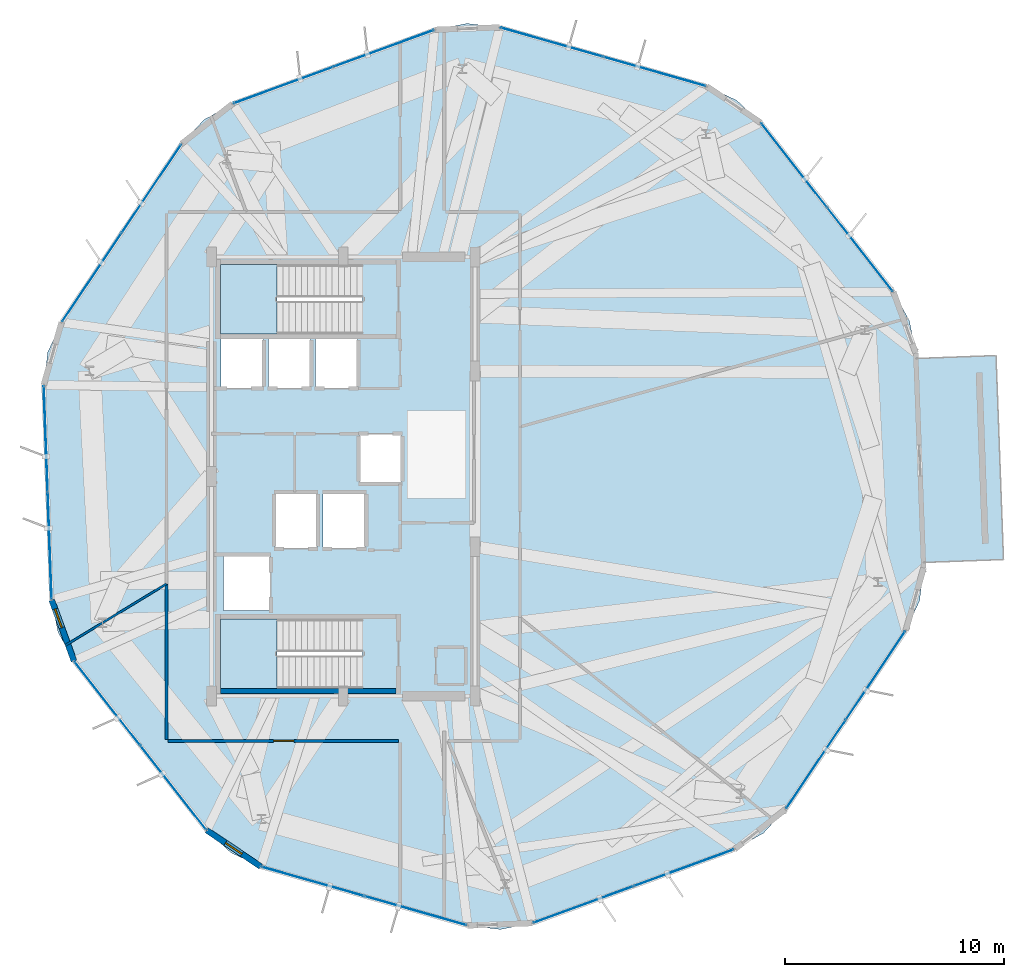
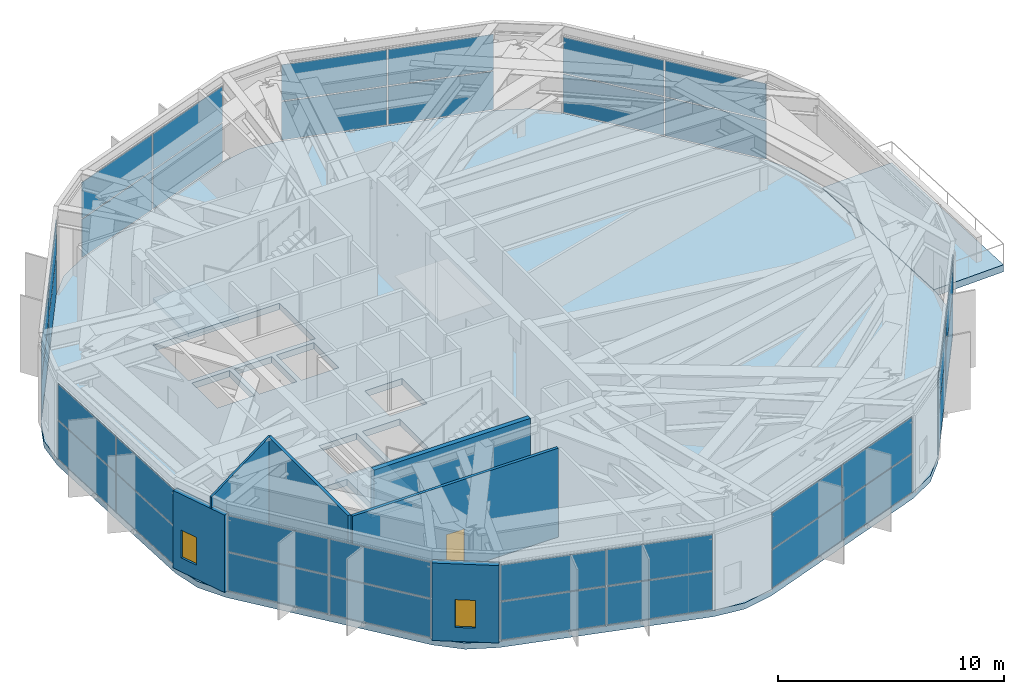
# One storey, part 24 of 30: 36 plates, 6 walls, 4 slabs, 2 windows, 1 door, 3 openings, 11 elements without a shape of their own.
"""IFC4 building model written with IfcOpenShell, lengths in metres."""

from ifc_helpers import new_model, si_unit, direction, frame, frame_2d, origin, origin_2d, place, context, subcontext, project, spatial, polyline, rectangle, outline, extrude, material, layer, layer_set, type_object, element, fill, aggregate, save


model = new_model("IFC4")

# Units and contexts
model_context = context("Model", 3, precision=1e-05, world=origin(), true_north=direction((0.0, 1.0)))
body_context = subcontext(model_context, "Body", "Model", "MODEL_VIEW")
ifc_project = project(units=[si_unit("LENGTHUNIT", "METRE"), si_unit("AREAUNIT", "SQUARE_METRE"), si_unit("VOLUMEUNIT", "CUBIC_METRE"), si_unit("PLANEANGLEUNIT", "RADIAN"), si_unit("MASSUNIT", "GRAM", prefix="KILO")], contexts=[model_context])

# Site, building, storey
site_placement = place(None, origin())
site = spatial("IfcSite", under=ifc_project, at=site_placement, CompositionType="ELEMENT")
building_placement = place(site_placement, origin())
building = spatial("IfcBuilding", under=site, at=building_placement, Name="Soratama Intermodal Tower", CompositionType="ELEMENT")
storey_placement = place(building_placement, frame((0.0, 0.0, 237.39990234375)))
storey = spatial("IfcBuildingStorey", under=building, at=storey_placement, Name="L60", CompositionType="ELEMENT", Elevation=237.39990234375)

# Curtain wall, plates
ifc_material_1 = material(Name="Double-glazed aluminium curtain wall", Category="aluminium")
ifc_layer_1 = layer(ifc_material_1, 0.159912109375)
ifc_layer_set_1 = layer_set([ifc_layer_1], Name="Double-glazed aluminium curtain wall")
curtain_wall_type = type_object("IfcCurtainWallType", Name="CW-SYS-5", PredefinedType="NOTDEFINED", material=ifc_layer_set_1)
curtain_wall_1_placement = place(storey_placement, origin())
curtain_wall_1 = element("IfcCurtainWall", 1, at=curtain_wall_1_placement, inside=storey, type_object=curtain_wall_type, Name="L60 Faceted Curtain Wall F01", PredefinedType="NOTDEFINED")
ifc_material_2 = material(Name="Low-E laminated double glazing", Category="glass")
ifc_layer_2 = layer(ifc_material_2, 0.02001953125)
ifc_layer_set_2 = layer_set([ifc_layer_2], Name="Low-E laminated double glazing")
plate_type = type_object("IfcPlateType", Name="PT-CWP-5", PredefinedType="CURTAIN_PANEL", material=ifc_layer_set_2)
plate_1_placement = place(storey_placement, frame((52.786865234375, 43.44970703125, 0.06005859375), z_axis=(0.0, 0.0, 1.0), x_axis=(-0.96174010447, 0.273963449119, 0.0)))
plate_1 = element("IfcPlate", 2, at=plate_1_placement, type_object=plate_type, Name="CW-5 panel 1.1", PredefinedType="CURTAIN_PANEL", context=body_context, shape_type="SweptSolid", body=[
    extrude(rectangle(XDim=4.808837890625, YDim=0.028076171875, at=origin_2d()), origin(), (0.0, 0.0, 1.0), 2.06005859375),
])
plate_2_placement = place(storey_placement, frame((52.786865234375, 43.44970703125, 2.18017578125), z_axis=(0.0, 0.0, 1.0), x_axis=(-0.96174010447, 0.273963449119, 0.0)))
plate_2 = element("IfcPlate", 3, at=plate_2_placement, type_object=plate_type, Name="CW-5 panel 1.2", PredefinedType="CURTAIN_PANEL", context=body_context, shape_type="SweptSolid", body=[
    extrude(rectangle(XDim=4.808837890625, YDim=0.028076171875, at=origin_2d()), origin(), (0.0, 0.0, 1.0), 1.93896484375),
])
plate_3_placement = place(storey_placement, frame((48.104248046875, 44.783447265625, 0.06005859375), z_axis=(0.0, 0.0, 1.0), x_axis=(-0.96174010447, 0.273963449119, 0.0)))
plate_3 = element("IfcPlate", 4, at=plate_3_placement, type_object=plate_type, Name="CW-5 panel 2.1", PredefinedType="CURTAIN_PANEL", context=body_context, shape_type="SweptSolid", body=[
    extrude(rectangle(XDim=4.808837890625, YDim=0.028076171875, at=origin_2d()), origin(), (0.0, 0.0, 1.0), 2.06005859375),
])
plate_4_placement = place(storey_placement, frame((48.104248046875, 44.783447265625, 2.18017578125), z_axis=(0.0, 0.0, 1.0), x_axis=(-0.96174010447, 0.273963449119, 0.0)))
plate_4 = element("IfcPlate", 5, at=plate_4_placement, type_object=plate_type, Name="CW-5 panel 2.2", PredefinedType="CURTAIN_PANEL", context=body_context, shape_type="SweptSolid", body=[
    extrude(rectangle(XDim=4.808837890625, YDim=0.028076171875, at=origin_2d()), origin(), (0.0, 0.0, 1.0), 1.93896484375),
])
aggregate(curtain_wall_1, [plate_1, plate_2, plate_3, plate_4])

curtain_wall_2_placement = place(storey_placement, origin())
curtain_wall_2 = element("IfcCurtainWall", 6, at=curtain_wall_2_placement, inside=storey, type_object=curtain_wall_type, Name="L60 Faceted Curtain Wall F02", PredefinedType="NOTDEFINED")
plate_5_placement = place(storey_placement, frame((40.455078125, 44.503173828125, 0.06005859375), z_axis=(0.0, 0.0, 1.0), x_axis=(-0.93909264659, -0.343664081803, 0.0)))
plate_5 = element("IfcPlate", 7, at=plate_5_placement, type_object=plate_type, Name="CW-5 panel 1.1", PredefinedType="CURTAIN_PANEL", context=body_context, shape_type="SweptSolid", body=[
    extrude(rectangle(XDim=4.808837890625, YDim=0.028076171875, at=origin_2d()), origin(), (0.0, 0.0, 1.0), 2.06005859375),
])
plate_6_placement = place(storey_placement, frame((40.455078125, 44.503173828125, 2.18017578125), z_axis=(0.0, 0.0, 1.0), x_axis=(-0.93909264659, -0.343664081803, 0.0)))
plate_6 = element("IfcPlate", 8, at=plate_6_placement, type_object=plate_type, Name="CW-5 panel 1.2", PredefinedType="CURTAIN_PANEL", context=body_context, shape_type="SweptSolid", body=[
    extrude(rectangle(XDim=4.808837890625, YDim=0.028076171875, at=origin_2d()), origin(), (0.0, 0.0, 1.0), 1.93896484375),
])
plate_7_placement = place(storey_placement, frame((35.8828125, 42.829833984375, 0.06005859375), z_axis=(0.0, 0.0, 1.0), x_axis=(-0.93909264659, -0.343664081803, 0.0)))
plate_7 = element("IfcPlate", 9, at=plate_7_placement, type_object=plate_type, Name="CW-5 panel 2.1", PredefinedType="CURTAIN_PANEL", context=body_context, shape_type="SweptSolid", body=[
    extrude(rectangle(XDim=4.808837890625, YDim=0.028076171875, at=origin_2d()), origin(), (0.0, 0.0, 1.0), 2.06005859375),
])
plate_8_placement = place(storey_placement, frame((35.8828125, 42.829833984375, 2.18017578125), z_axis=(0.0, 0.0, 1.0), x_axis=(-0.93909264659, -0.343664081803, 0.0)))
plate_8 = element("IfcPlate", 10, at=plate_8_placement, type_object=plate_type, Name="CW-5 panel 2.2", PredefinedType="CURTAIN_PANEL", context=body_context, shape_type="SweptSolid", body=[
    extrude(rectangle(XDim=4.808837890625, YDim=0.028076171875, at=origin_2d()), origin(), (0.0, 0.0, 1.0), 1.93896484375),
])
aggregate(curtain_wall_2, [plate_5, plate_6, plate_7, plate_8])

curtain_wall_3_placement = place(storey_placement, origin())
curtain_wall_3 = element("IfcCurtainWall", 11, at=curtain_wall_3_placement, inside=storey, type_object=curtain_wall_type, Name="L60 Faceted Curtain Wall F03", PredefinedType="NOTDEFINED")
plate_9_placement = place(storey_placement, frame((29.859619140625, 38.10693359375, 0.06005859375), z_axis=(0.0, 0.0, 1.0), x_axis=(-0.557744292147, -0.830012833984, 0.0)))
plate_9 = element("IfcPlate", 12, at=plate_9_placement, type_object=plate_type, Name="CW-5 panel 1.1", PredefinedType="CURTAIN_PANEL", context=body_context, shape_type="SweptSolid", body=[
    extrude(rectangle(XDim=4.808837890625, YDim=0.028076171875, at=origin_2d()), origin(), (0.0, 0.0, 1.0), 2.06005859375),
])
plate_10_placement = place(storey_placement, frame((29.859619140625, 38.10693359375, 2.18017578125), z_axis=(0.0, 0.0, 1.0), x_axis=(-0.557744292147, -0.830012833984, 0.0)))
plate_10 = element("IfcPlate", 13, at=plate_10_placement, type_object=plate_type, Name="CW-5 panel 1.2", PredefinedType="CURTAIN_PANEL", context=body_context, shape_type="SweptSolid", body=[
    extrude(rectangle(XDim=4.808837890625, YDim=0.028076171875, at=origin_2d()), origin(), (0.0, 0.0, 1.0), 1.93896484375),
])
plate_11_placement = place(storey_placement, frame((27.14404296875, 34.065673828125, 0.06005859375), z_axis=(0.0, 0.0, 1.0), x_axis=(-0.557744292147, -0.830012833984, 0.0)))
plate_11 = element("IfcPlate", 14, at=plate_11_placement, type_object=plate_type, Name="CW-5 panel 2.1", PredefinedType="CURTAIN_PANEL", context=body_context, shape_type="SweptSolid", body=[
    extrude(rectangle(XDim=4.808837890625, YDim=0.028076171875, at=origin_2d()), origin(), (0.0, 0.0, 1.0), 2.06005859375),
])
plate_12_placement = place(storey_placement, frame((27.14404296875, 34.065673828125, 2.18017578125), z_axis=(0.0, 0.0, 1.0), x_axis=(-0.557744292147, -0.830012833984, 0.0)))
plate_12 = element("IfcPlate", 15, at=plate_12_placement, type_object=plate_type, Name="CW-5 panel 2.2", PredefinedType="CURTAIN_PANEL", context=body_context, shape_type="SweptSolid", body=[
    extrude(rectangle(XDim=4.808837890625, YDim=0.028076171875, at=origin_2d()), origin(), (0.0, 0.0, 1.0), 1.93896484375),
])
aggregate(curtain_wall_3, [plate_9, plate_10, plate_11, plate_12])

curtain_wall_4_placement = place(storey_placement, origin())
curtain_wall_4 = element("IfcCurtainWall", 16, at=curtain_wall_4_placement, inside=storey, type_object=curtain_wall_type, Name="L60 Faceted Curtain Wall F04", PredefinedType="NOTDEFINED")
plate_13_placement = place(storey_placement, frame((25.047119140625, 26.704345703125, 0.06005859375), z_axis=(0.0, 0.0, 1.0), x_axis=(0.036641329851, -0.999328481005, 0.0)))
plate_13 = element("IfcPlate", 17, at=plate_13_placement, type_object=plate_type, Name="CW-5 panel 1.1", PredefinedType="CURTAIN_PANEL", context=body_context, shape_type="SweptSolid", body=[
    extrude(rectangle(XDim=4.808837890625, YDim=0.028076171875, at=origin_2d()), origin(), (0.0, 0.0, 1.0), 2.06005859375),
])
plate_14_placement = place(storey_placement, frame((25.047119140625, 26.704345703125, 2.18017578125), z_axis=(0.0, 0.0, 1.0), x_axis=(0.036641329851, -0.999328481005, 0.0)))
plate_14 = element("IfcPlate", 18, at=plate_14_placement, type_object=plate_type, Name="CW-5 panel 1.2", PredefinedType="CURTAIN_PANEL", context=body_context, shape_type="SweptSolid", body=[
    extrude(rectangle(XDim=4.808837890625, YDim=0.028076171875, at=origin_2d()), origin(), (0.0, 0.0, 1.0), 1.93896484375),
])
plate_15_placement = place(storey_placement, frame((25.2255859375, 21.8388671875, 0.06005859375), z_axis=(0.0, 0.0, 1.0), x_axis=(0.036641329851, -0.999328481005, 0.0)))
plate_15 = element("IfcPlate", 19, at=plate_15_placement, type_object=plate_type, Name="CW-5 panel 2.1", PredefinedType="CURTAIN_PANEL", context=body_context, shape_type="SweptSolid", body=[
    extrude(rectangle(XDim=4.808837890625, YDim=0.028076171875, at=origin_2d()), origin(), (0.0, 0.0, 1.0), 2.06005859375),
])
plate_16_placement = place(storey_placement, frame((25.2255859375, 21.8388671875, 2.18017578125), z_axis=(0.0, 0.0, 1.0), x_axis=(0.036641329851, -0.999328481005, 0.0)))
plate_16 = element("IfcPlate", 20, at=plate_16_placement, type_object=plate_type, Name="CW-5 panel 2.2", PredefinedType="CURTAIN_PANEL", context=body_context, shape_type="SweptSolid", body=[
    extrude(rectangle(XDim=4.808837890625, YDim=0.028076171875, at=origin_2d()), origin(), (0.0, 0.0, 1.0), 1.93896484375),
])
aggregate(curtain_wall_4, [plate_13, plate_14, plate_15, plate_16])

curtain_wall_5_placement = place(storey_placement, origin())
curtain_wall_5 = element("IfcCurtainWall", 21, at=curtain_wall_5_placement, inside=storey, type_object=curtain_wall_type, Name="L60 Faceted Curtain Wall F05", PredefinedType="NOTDEFINED")
plate_17_placement = place(storey_placement, frame((27.85595703125, 14.65087890625, 0.06005859375), z_axis=(0.0, 0.0, 1.0), x_axis=(0.617036467446, -0.786934557535, 0.0)))
plate_17 = element("IfcPlate", 22, at=plate_17_placement, type_object=plate_type, Name="CW-5 panel 1.1", PredefinedType="CURTAIN_PANEL", context=body_context, shape_type="SweptSolid", body=[
    extrude(rectangle(XDim=4.808837890625, YDim=0.028076171875, at=origin_2d()), origin(), (0.0, 0.0, 1.0), 2.06005859375),
])
plate_18_placement = place(storey_placement, frame((27.85595703125, 14.65087890625, 2.18017578125), z_axis=(0.0, 0.0, 1.0), x_axis=(0.617036467446, -0.786934557535, 0.0)))
plate_18 = element("IfcPlate", 23, at=plate_18_placement, type_object=plate_type, Name="CW-5 panel 1.2", PredefinedType="CURTAIN_PANEL", context=body_context, shape_type="SweptSolid", body=[
    extrude(rectangle(XDim=4.808837890625, YDim=0.028076171875, at=origin_2d()), origin(), (0.0, 0.0, 1.0), 1.93896484375),
])
plate_19_placement = place(storey_placement, frame((30.860107421875, 10.8193359375, 0.06005859375), z_axis=(0.0, 0.0, 1.0), x_axis=(0.617036467446, -0.786934557535, 0.0)))
plate_19 = element("IfcPlate", 24, at=plate_19_placement, type_object=plate_type, Name="CW-5 panel 2.1", PredefinedType="CURTAIN_PANEL", context=body_context, shape_type="SweptSolid", body=[
    extrude(rectangle(XDim=4.808837890625, YDim=0.028076171875, at=origin_2d()), origin(), (0.0, 0.0, 1.0), 2.06005859375),
])
plate_20_placement = place(storey_placement, frame((30.860107421875, 10.8193359375, 2.18017578125), z_axis=(0.0, 0.0, 1.0), x_axis=(0.617036467446, -0.786934557535, 0.0)))
plate_20 = element("IfcPlate", 25, at=plate_20_placement, type_object=plate_type, Name="CW-5 panel 2.2", PredefinedType="CURTAIN_PANEL", context=body_context, shape_type="SweptSolid", body=[
    extrude(rectangle(XDim=4.808837890625, YDim=0.028076171875, at=origin_2d()), origin(), (0.0, 0.0, 1.0), 1.93896484375),
])
aggregate(curtain_wall_5, [plate_17, plate_18, plate_19, plate_20])

curtain_wall_6_placement = place(storey_placement, origin())
curtain_wall_6 = element("IfcCurtainWall", 26, at=curtain_wall_6_placement, inside=storey, type_object=curtain_wall_type, Name="L60 Faceted Curtain Wall F06", PredefinedType="NOTDEFINED")
plate_21_placement = place(storey_placement, frame((37.213134765625, 6.55029296875, 0.06005859375), z_axis=(0.0, 0.0, 1.0), x_axis=(0.96174010447, -0.273963449119, 0.0)))
plate_21 = element("IfcPlate", 27, at=plate_21_placement, type_object=plate_type, Name="CW-5 panel 1.1", PredefinedType="CURTAIN_PANEL", context=body_context, shape_type="SweptSolid", body=[
    extrude(rectangle(XDim=4.808837890625, YDim=0.028076171875, at=origin_2d()), origin(), (0.0, 0.0, 1.0), 2.06005859375),
])
plate_22_placement = place(storey_placement, frame((37.213134765625, 6.55029296875, 2.18017578125), z_axis=(0.0, 0.0, 1.0), x_axis=(0.96174010447, -0.273963449119, 0.0)))
plate_22 = element("IfcPlate", 28, at=plate_22_placement, type_object=plate_type, Name="CW-5 panel 1.2", PredefinedType="CURTAIN_PANEL", context=body_context, shape_type="SweptSolid", body=[
    extrude(rectangle(XDim=4.808837890625, YDim=0.028076171875, at=origin_2d()), origin(), (0.0, 0.0, 1.0), 1.93896484375),
])
plate_23_placement = place(storey_placement, frame((41.895751953125, 5.216552734375, 0.06005859375), z_axis=(0.0, 0.0, 1.0), x_axis=(0.96174010447, -0.273963449119, 0.0)))
plate_23 = element("IfcPlate", 29, at=plate_23_placement, type_object=plate_type, Name="CW-5 panel 2.1", PredefinedType="CURTAIN_PANEL", context=body_context, shape_type="SweptSolid", body=[
    extrude(rectangle(XDim=4.808837890625, YDim=0.028076171875, at=origin_2d()), origin(), (0.0, 0.0, 1.0), 2.06005859375),
])
plate_24_placement = place(storey_placement, frame((41.895751953125, 5.216552734375, 2.18017578125), z_axis=(0.0, 0.0, 1.0), x_axis=(0.96174010447, -0.273963449119, 0.0)))
plate_24 = element("IfcPlate", 30, at=plate_24_placement, type_object=plate_type, Name="CW-5 panel 2.2", PredefinedType="CURTAIN_PANEL", context=body_context, shape_type="SweptSolid", body=[
    extrude(rectangle(XDim=4.808837890625, YDim=0.028076171875, at=origin_2d()), origin(), (0.0, 0.0, 1.0), 1.93896484375),
])
aggregate(curtain_wall_6, [plate_21, plate_22, plate_23, plate_24])

curtain_wall_7_placement = place(storey_placement, origin())
curtain_wall_7 = element("IfcCurtainWall", 31, at=curtain_wall_7_placement, inside=storey, type_object=curtain_wall_type, Name="L60 Faceted Curtain Wall F07", PredefinedType="NOTDEFINED")
plate_25_placement = place(storey_placement, frame((49.544921875, 5.496826171875, 0.06005859375), z_axis=(0.0, 0.0, 1.0), x_axis=(0.93909264659, 0.343664081803, 0.0)))
plate_25 = element("IfcPlate", 32, at=plate_25_placement, type_object=plate_type, Name="CW-5 panel 1.1", PredefinedType="CURTAIN_PANEL", context=body_context, shape_type="SweptSolid", body=[
    extrude(rectangle(XDim=4.808837890625, YDim=0.028076171875, at=origin_2d()), origin(), (0.0, 0.0, 1.0), 2.06005859375),
])
plate_26_placement = place(storey_placement, frame((49.544921875, 5.496826171875, 2.18017578125), z_axis=(0.0, 0.0, 1.0), x_axis=(0.93909264659, 0.343664081803, 0.0)))
plate_26 = element("IfcPlate", 33, at=plate_26_placement, type_object=plate_type, Name="CW-5 panel 1.2", PredefinedType="CURTAIN_PANEL", context=body_context, shape_type="SweptSolid", body=[
    extrude(rectangle(XDim=4.808837890625, YDim=0.028076171875, at=origin_2d()), origin(), (0.0, 0.0, 1.0), 1.93896484375),
])
plate_27_placement = place(storey_placement, frame((54.1171875, 7.170166015625, 0.06005859375), z_axis=(0.0, 0.0, 1.0), x_axis=(0.93909264659, 0.343664081803, 0.0)))
plate_27 = element("IfcPlate", 34, at=plate_27_placement, type_object=plate_type, Name="CW-5 panel 2.1", PredefinedType="CURTAIN_PANEL", context=body_context, shape_type="SweptSolid", body=[
    extrude(rectangle(XDim=4.808837890625, YDim=0.028076171875, at=origin_2d()), origin(), (0.0, 0.0, 1.0), 2.06005859375),
])
plate_28_placement = place(storey_placement, frame((54.1171875, 7.170166015625, 2.18017578125), z_axis=(0.0, 0.0, 1.0), x_axis=(0.93909264659, 0.343664081803, 0.0)))
plate_28 = element("IfcPlate", 35, at=plate_28_placement, type_object=plate_type, Name="CW-5 panel 2.2", PredefinedType="CURTAIN_PANEL", context=body_context, shape_type="SweptSolid", body=[
    extrude(rectangle(XDim=4.808837890625, YDim=0.028076171875, at=origin_2d()), origin(), (0.0, 0.0, 1.0), 1.93896484375),
])
aggregate(curtain_wall_7, [plate_25, plate_26, plate_27, plate_28])

curtain_wall_8_placement = place(storey_placement, origin())
curtain_wall_8 = element("IfcCurtainWall", 36, at=curtain_wall_8_placement, inside=storey, type_object=curtain_wall_type, Name="L60 Faceted Curtain Wall F08", PredefinedType="NOTDEFINED")
plate_29_placement = place(storey_placement, frame((60.140380859375, 11.89306640625, 0.06005859375), z_axis=(0.0, 0.0, 1.0), x_axis=(0.557744292147, 0.830012833984, 0.0)))
plate_29 = element("IfcPlate", 37, at=plate_29_placement, type_object=plate_type, Name="CW-5 panel 1.1", PredefinedType="CURTAIN_PANEL", context=body_context, shape_type="SweptSolid", body=[
    extrude(rectangle(XDim=4.808837890625, YDim=0.028076171875, at=origin_2d()), origin(), (0.0, 0.0, 1.0), 2.06005859375),
])
plate_30_placement = place(storey_placement, frame((60.140380859375, 11.89306640625, 2.18017578125), z_axis=(0.0, 0.0, 1.0), x_axis=(0.557744292147, 0.830012833984, 0.0)))
plate_30 = element("IfcPlate", 38, at=plate_30_placement, type_object=plate_type, Name="CW-5 panel 1.2", PredefinedType="CURTAIN_PANEL", context=body_context, shape_type="SweptSolid", body=[
    extrude(rectangle(XDim=4.808837890625, YDim=0.028076171875, at=origin_2d()), origin(), (0.0, 0.0, 1.0), 1.93896484375),
])
plate_31_placement = place(storey_placement, frame((62.85595703125, 15.934326171875, 0.06005859375), z_axis=(0.0, 0.0, 1.0), x_axis=(0.557744292147, 0.830012833984, 0.0)))
plate_31 = element("IfcPlate", 39, at=plate_31_placement, type_object=plate_type, Name="CW-5 panel 2.1", PredefinedType="CURTAIN_PANEL", context=body_context, shape_type="SweptSolid", body=[
    extrude(rectangle(XDim=4.808837890625, YDim=0.028076171875, at=origin_2d()), origin(), (0.0, 0.0, 1.0), 2.06005859375),
])
plate_32_placement = place(storey_placement, frame((62.85595703125, 15.934326171875, 2.18017578125), z_axis=(0.0, 0.0, 1.0), x_axis=(0.557744292147, 0.830012833984, 0.0)))
plate_32 = element("IfcPlate", 40, at=plate_32_placement, type_object=plate_type, Name="CW-5 panel 2.2", PredefinedType="CURTAIN_PANEL", context=body_context, shape_type="SweptSolid", body=[
    extrude(rectangle(XDim=4.808837890625, YDim=0.028076171875, at=origin_2d()), origin(), (0.0, 0.0, 1.0), 1.93896484375),
])
aggregate(curtain_wall_8, [plate_29, plate_30, plate_31, plate_32])

curtain_wall_9_placement = place(storey_placement, origin())
curtain_wall_9 = element("IfcCurtainWall", 41, at=curtain_wall_9_placement, inside=storey, type_object=curtain_wall_type, Name="L60 Faceted Curtain Wall F10", PredefinedType="NOTDEFINED")
plate_33_placement = place(storey_placement, frame((62.14404296875, 35.34912109375, 0.06005859375), z_axis=(0.0, 0.0, 1.0), x_axis=(-0.617036467446, 0.786934557535, 0.0)))
plate_33 = element("IfcPlate", 42, at=plate_33_placement, type_object=plate_type, Name="CW-5 panel 1.1", PredefinedType="CURTAIN_PANEL", context=body_context, shape_type="SweptSolid", body=[
    extrude(rectangle(XDim=4.808837890625, YDim=0.028076171875, at=origin_2d()), origin(), (0.0, 0.0, 1.0), 2.06005859375),
])
plate_34_placement = place(storey_placement, frame((62.14404296875, 35.34912109375, 2.18017578125), z_axis=(0.0, 0.0, 1.0), x_axis=(-0.617036467446, 0.786934557535, 0.0)))
plate_34 = element("IfcPlate", 43, at=plate_34_placement, type_object=plate_type, Name="CW-5 panel 1.2", PredefinedType="CURTAIN_PANEL", context=body_context, shape_type="SweptSolid", body=[
    extrude(rectangle(XDim=4.808837890625, YDim=0.028076171875, at=origin_2d()), origin(), (0.0, 0.0, 1.0), 1.93896484375),
])
plate_35_placement = place(storey_placement, frame((59.139892578125, 39.1806640625, 0.06005859375), z_axis=(0.0, 0.0, 1.0), x_axis=(-0.617036467446, 0.786934557535, 0.0)))
plate_35 = element("IfcPlate", 44, at=plate_35_placement, type_object=plate_type, Name="CW-5 panel 2.1", PredefinedType="CURTAIN_PANEL", context=body_context, shape_type="SweptSolid", body=[
    extrude(rectangle(XDim=4.808837890625, YDim=0.028076171875, at=origin_2d()), origin(), (0.0, 0.0, 1.0), 2.06005859375),
])
plate_36_placement = place(storey_placement, frame((59.139892578125, 39.1806640625, 2.18017578125), z_axis=(0.0, 0.0, 1.0), x_axis=(-0.617036467446, 0.786934557535, 0.0)))
plate_36 = element("IfcPlate", 45, at=plate_36_placement, type_object=plate_type, Name="CW-5 panel 2.2", PredefinedType="CURTAIN_PANEL", context=body_context, shape_type="SweptSolid", body=[
    extrude(rectangle(XDim=4.808837890625, YDim=0.028076171875, at=origin_2d()), origin(), (0.0, 0.0, 1.0), 1.93896484375),
])
aggregate(curtain_wall_9, [plate_33, plate_34, plate_35, plate_36])

# Slab
ifc_material_3 = material(Name="Concrete f'c 42 MPa", Category="concrete")
ifc_layer_3 = layer(ifc_material_3, 0.3798828125)
ifc_layer_set_3 = layer_set([ifc_layer_3], Name="Concrete f'c 42 MPa")
slab_type_1 = type_object("IfcSlabType", Name="SL-EXT-POOL", PredefinedType="FLOOR", material=ifc_layer_set_3)
slab_1_placement = place(storey_placement, frame((0.0, 0.0, -0.3798828125)))
element("IfcSlab", 46, at=slab_1_placement, inside=storey, type_object=slab_type_1, Name="L60 Cantilevered East Sky Pool Slab", PredefinedType="FLOOR", context=body_context, shape_type="SweptSolid", body=[
    extrude(outline(polyline([(65.053955078125, 21.08349609375), (64.71337890625, 30.374755859375), (68.3408203125, 30.5078125), (68.681640625, 21.21630859375), (65.053955078125, 21.08349609375)])), origin(), (0.0, 0.0, 1.0), 0.3798828125),
])

# Stair, slab
ifc_material_4 = material(Name="Concrete f'c 42 MPa", Category="concrete")
stair_type = type_object("IfcStairType", Name="ST-CORE-DOGLEG", PredefinedType="HALF_TURN_STAIR", material=ifc_material_4)
stair_1_placement = place(storey_placement, origin())
stair_1 = element("IfcStair", 47, at=stair_1_placement, inside=storey, type_object=stair_type, Name="L60 ST-1", PredefinedType="HALF_TURN_STAIR")
ifc_material_5 = material(Name="Concrete f'c 42 MPa", Category="concrete")
ifc_layer_4 = layer(ifc_material_5, 0.219970703125)
ifc_layer_set_4 = layer_set([ifc_layer_4], Name="Concrete f'c 42 MPa")
slab_type_2 = type_object("IfcSlabType", Name="SL-STAIR-LAND", PredefinedType="LANDING", material=ifc_layer_set_4)
slab_2_placement = place(storey_placement, frame((0.0, 0.0, 2.35009765625)))
slab_2 = element("IfcSlab", 48, at=slab_2_placement, type_object=slab_type_2, Name="ST-1 landing 1", PredefinedType="LANDING", context=body_context, shape_type="SweptSolid", body=[
    extrude(outline(polyline([(35.580078125, 18.5), (33.0, 18.5), (33.0, 15.35009765625), (35.580078125, 15.35009765625), (35.580078125, 18.5)])), origin(), (0.0, 0.0, 1.0), 0.199951171875),
])
aggregate(stair_1, [slab_2])

stair_2_placement = place(storey_placement, origin())
stair_2 = element("IfcStair", 49, at=stair_2_placement, inside=storey, type_object=stair_type, Name="L60 ST-2", PredefinedType="HALF_TURN_STAIR")
slab_3_placement = place(storey_placement, frame((0.0, 0.0, 2.35009765625)))
slab_3 = element("IfcSlab", 50, at=slab_3_placement, type_object=slab_type_2, Name="ST-2 landing 1", PredefinedType="LANDING", context=body_context, shape_type="SweptSolid", body=[
    extrude(outline(polyline([(35.580078125, 34.64990234375), (33.0, 34.64990234375), (33.0, 31.5), (35.580078125, 31.5), (35.580078125, 34.64990234375)])), origin(), (0.0, 0.0, 1.0), 0.199951171875),
])
aggregate(stair_2, [slab_3])

# Slab
ifc_material_6 = material(Name="Concrete f'c 42 MPa", Category="concrete")
ifc_layer_5 = layer(ifc_material_6, 0.340087890625)
ifc_layer_set_5 = layer_set([ifc_layer_5], Name="Concrete f'c 42 MPa")
slab_type_3 = type_object("IfcSlabType", Name="SL-TRN-340", PredefinedType="FLOOR", material=ifc_layer_set_5)
slab_4_placement = place(storey_placement, frame((0.0, 0.0, -0.33984375)))
element("IfcSlab", 51, at=slab_4_placement, inside=storey, type_object=slab_type_3, Name="L60 Structural Floor Slab", PredefinedType="FLOOR", context=body_context, shape_type="SweptSolid", body=[
    extrude(outline(polyline([(57.619140625, 41.119873046875), (56.51904296875, 42.14208984375), (55.156982421875, 42.7744140625), (45.734130859375, 45.458740234375), (44.2431640625, 45.63916015625), (42.76953125, 45.35009765625), (33.568603515625, 41.98291015625), (32.25634765625, 41.252685546875), (31.234130859375, 40.15234375), (25.76953125, 32.020263671875), (25.13720703125, 30.658203125), (24.956787109375, 29.167236328125), (25.31591796875, 19.376220703125), (25.60498046875, 17.90234375), (26.335205078125, 16.590087890625), (32.380859375, 8.880126953125), (33.48095703125, 7.85791015625), (34.843017578125, 7.2255859375), (44.265869140625, 4.541259765625), (45.7568359375, 4.36083984375), (47.23046875, 4.64990234375), (56.431396484375, 8.01708984375), (57.74365234375, 8.747314453125), (58.765869140625, 9.84765625), (64.23046875, 17.979736328125), (64.86279296875, 19.341796875), (65.043212890625, 20.832763671875), (64.68408203125, 30.623779296875), (64.39501953125, 32.09765625), (63.664794921875, 33.409912109375), (57.619140625, 41.119873046875)]), holes=[polyline([(33.0, 18.5), (33.0, 15.35009765625), (39.47509765625, 15.35009765625), (39.47509765625, 18.5), (33.0, 18.5)]), polyline([(35.260009765625, 21.409912109375), (33.139892578125, 21.409912109375), (33.139892578125, 18.889892578125), (35.260009765625, 18.889892578125), (35.260009765625, 21.409912109375)]), polyline([(37.409912109375, 24.260009765625), (35.489990234375, 24.260009765625), (35.489990234375, 21.739990234375), (37.409912109375, 21.739990234375), (37.409912109375, 24.260009765625)]), polyline([(39.610107421875, 24.260009765625), (37.68994140625, 24.260009765625), (37.68994140625, 21.739990234375), (39.610107421875, 21.739990234375), (39.610107421875, 24.260009765625)]), polyline([(41.260009765625, 26.909912109375), (39.340087890625, 26.909912109375), (39.340087890625, 24.68994140625), (41.260009765625, 24.68994140625), (41.260009765625, 26.909912109375)]), polyline([(34.9599609375, 31.260009765625), (33.0400390625, 31.260009765625), (33.0400390625, 29.0400390625), (34.9599609375, 29.0400390625), (34.9599609375, 31.260009765625)]), polyline([(37.110107421875, 31.260009765625), (35.18994140625, 31.260009765625), (35.18994140625, 29.0400390625), (37.110107421875, 29.0400390625), (37.110107421875, 31.260009765625)]), polyline([(39.260009765625, 29.0400390625), (39.260009765625, 31.260009765625), (37.340087890625, 31.260009765625), (37.340087890625, 29.0400390625), (39.260009765625, 29.0400390625)]), polyline([(39.47509765625, 34.64990234375), (33.0, 34.64990234375), (33.0, 31.5), (39.47509765625, 31.5), (39.47509765625, 34.64990234375)])]), origin(), (0.0, 0.0, 1.0), 0.33984375),
])

# Wall, opening, window
ifc_material_7 = material(Name="Concrete f'c 42 MPa", Category="concrete")
ifc_layer_6 = layer(ifc_material_7, 0.27001953125)
ifc_layer_set_6 = layer_set([ifc_layer_6], Name="Concrete f'c 42 MPa")
wall_type_1 = type_object("IfcWallType", Name="EW-CRN-270", PredefinedType="SOLIDWALL", material=ifc_layer_set_6)
wall_1_placement = place(storey_placement, frame((25.31591796875, 19.376220703125, 0.0), z_axis=(0.0, 0.0, 1.0), x_axis=(0.343572680233, -0.939126090255, 0.0)))
wall_1 = element("IfcWall", 52, at=wall_1_placement, inside=storey, type_object=wall_type_1, Name="L60 Corner Closure Wall 04", PredefinedType="SOLIDWALL", context=body_context, shape_type="SweptSolid", body=[
    extrude(rectangle(XDim=2.966796875, YDim=0.27001953125, at=frame_2d((1.4833984375, 0.0))), origin(), (0.0, 0.0, 1.0), 4.17919921875),
])
opening_1_placement = place(wall_1_placement, frame((0.449951171875, 0.0, 0.75)))
opening_1 = element("IfcOpeningElement", 53, at=opening_1_placement, cuts=wall_1, Name="Opening WN-6", PredefinedType="OPENING", context=body_context, shape_type="SweptSolid", body=[
    extrude(rectangle(XDim=0.89990234375, YDim=1.5, at=frame_2d((0.449951171875, 0.75))), frame((0.0, 0.14501953125, 0.0), z_axis=(0.0, -1.0, 0.0), x_axis=(1.0, 0.0, 0.0)), (0.0, 0.0, 1.0), 0.2900390625),
])
ifc_material_8 = material(Name="Double-glazed aluminium window", Category="aluminium")
window_type = type_object("IfcWindowType", Name="WN-FAC-900", PartitioningType="SINGLE_PANEL", PredefinedType="WINDOW", material=ifc_material_8)
window_1_placement = place(opening_1_placement, origin())
window_1 = element("IfcWindow", 54, at=window_1_placement, inside=storey, type_object=window_type, Name="L60 Corner Window 04", OverallHeight=1.5, OverallWidth=0.89990234375, PartitioningType="SINGLE_PANEL", PredefinedType="WINDOW", context=body_context, shape_type="SweptSolid", body=[
    extrude(rectangle(XDim=0.89990234375, YDim=1.5, at=frame_2d((0.449951171875, 0.75))), frame((0.0, 0.030029296875, 0.0), z_axis=(0.0, -1.0, 0.0), x_axis=(1.0, 0.0, 0.0)), (0.0, 0.0, 1.0), 0.06005859375),
])
fill(opening_1, window_1)

wall_2_placement = place(storey_placement, frame((32.380859375, 8.880126953125, 0.0), z_axis=(0.0, 0.0, 1.0), x_axis=(0.830006141752, -0.557754251131, 0.0)))
wall_2 = element("IfcWall", 55, at=wall_2_placement, inside=storey, type_object=wall_type_1, Name="L60 Corner Closure Wall 05", PredefinedType="SOLIDWALL", context=body_context, shape_type="SweptSolid", body=[
    extrude(rectangle(XDim=2.966552734375, YDim=0.27001953125, at=frame_2d((1.4833984375, 0.0))), origin(), (0.0, 0.0, 1.0), 4.17919921875),
])
opening_2_placement = place(wall_2_placement, frame((1.033203125, 0.0, 0.75)))
opening_2 = element("IfcOpeningElement", 56, at=opening_2_placement, cuts=wall_2, Name="Opening WN-6", PredefinedType="OPENING", context=body_context, shape_type="SweptSolid", body=[
    extrude(rectangle(XDim=0.89990234375, YDim=1.5, at=frame_2d((0.449951171875, 0.75))), frame((0.0, 0.14501953125, 0.0), z_axis=(0.0, -1.0, 0.0), x_axis=(1.0, 0.0, 0.0)), (0.0, 0.0, 1.0), 0.2900390625),
])
window_2_placement = place(opening_2_placement, origin())
window_2 = element("IfcWindow", 57, at=window_2_placement, inside=storey, type_object=window_type, Name="L60 Corner Window 05", OverallHeight=1.5, OverallWidth=0.89990234375, PartitioningType="SINGLE_PANEL", PredefinedType="WINDOW", context=body_context, shape_type="SweptSolid", body=[
    extrude(rectangle(XDim=0.89990234375, YDim=1.5, at=frame_2d((0.449951171875, 0.75))), frame((0.0, 0.030029296875, 0.0), z_axis=(0.0, -1.0, 0.0), x_axis=(1.0, 0.0, 0.0)), (0.0, 0.0, 1.0), 0.06005859375),
])
fill(opening_2, window_2)

# Wall, opening, door
ifc_material_9 = material(Name="Fire-rated gypsum stud partition", Category="concrete")
ifc_layer_7 = layer(ifc_material_9, 0.14990234375)
ifc_layer_set_7 = layer_set([ifc_layer_7], Name="Fire-rated gypsum stud partition")
wall_type_2 = type_object("IfcWallType", Name="IW-PART-R150", PredefinedType="PARTITIONING", material=ifc_layer_set_7)
wall_3_placement = place(storey_placement, frame((41.1298828125, 12.949951171875, 0.0), z_axis=(0.0, 0.0, 1.0), x_axis=(-1.0, 0.0, 0.0)))
wall_3 = element("IfcWall", 58, at=wall_3_placement, inside=storey, type_object=wall_type_2, Name="L60 Partition W-L60-TP004", PredefinedType="PARTITIONING", context=body_context, shape_type="SweptSolid", body=[
    extrude(rectangle(XDim=10.509765625, YDim=0.14990234375, at=frame_2d((5.2548828125, 0.0))), origin(), (0.0, 0.0, 1.0), 4.800048828125),
])
opening_3_placement = place(wall_3_placement, frame((4.780029296875, 0.0, 0.0)))
opening_3 = element("IfcOpeningElement", 59, at=opening_3_placement, cuts=wall_3, Name="Opening ID-6", PredefinedType="OPENING", context=body_context, shape_type="SweptSolid", body=[
    extrude(rectangle(XDim=0.919921875, YDim=2.1201171875, at=frame_2d((0.4599609375, 1.06005859375))), frame((0.0, 0.0849609375, 0.0), z_axis=(0.0, -1.0, 0.0), x_axis=(1.0, 0.0, 0.0)), (0.0, 0.0, 1.0), 0.169921875),
])
ifc_material_10 = material(Name="Solid hardwood acoustic door", Category="wood")
door_type = type_object("IfcDoorType", Name="DR-ROOM-920", OperationType="NOTDEFINED", PredefinedType="DOOR", material=ifc_material_10)
door_placement = place(opening_3_placement, origin())
door = element("IfcDoor", 60, at=door_placement, inside=storey, type_object=door_type, Name="L60 Door D-L60-TP002", OperationType="SINGLE_SWING_LEFT", OverallHeight=2.1201171875, OverallWidth=0.919921875, PredefinedType="DOOR", context=body_context, shape_type="SweptSolid", body=[
    extrude(rectangle(XDim=0.919921875, YDim=2.1201171875, at=frame_2d((0.4599609375, 1.06005859375))), frame((0.0, 0.02490234375, 0.0), z_axis=(0.0, -1.0, 0.0), x_axis=(1.0, 0.0, 0.0)), (0.0, 0.0, 1.0), 0.050048828125),
])
fill(opening_3, door)

# Walls
wall_4_placement = place(storey_placement, frame((30.550048828125, 13.02001953125, 0.0), z_axis=(0.0, 0.0, 1.0), x_axis=(0.0, 1.0, 0.0)))
element("IfcWall", 61, at=wall_4_placement, inside=storey, type_object=wall_type_2, Name="L60 Partition W-L60-TP011", PredefinedType="PARTITIONING", context=body_context, shape_type="SweptSolid", body=[
    extrude(rectangle(XDim=7.0859375, YDim=0.14990234375, at=frame_2d((3.54296875, 0.0))), origin(), (0.0, 0.0, 1.0), 4.800048828125),
])
ifc_material_11 = material(Name="Fire-rated gypsum stud partition", Category="concrete")
ifc_layer_8 = layer(ifc_material_11, 0.10009765625)
ifc_layer_set_8 = layer_set([ifc_layer_8], Name="Fire-rated gypsum stud partition")
wall_type_3 = type_object("IfcWallType", Name="IW-PART-S100", PredefinedType="PARTITIONING", material=ifc_layer_set_8)
wall_5_placement = place(storey_placement, frame((30.550048828125, 20.10595703125, 0.0), z_axis=(0.0, 0.0, 1.0), x_axis=(-0.854508553668, -0.519437322214, 0.0)))
element("IfcWall", 62, at=wall_5_placement, inside=storey, type_object=wall_type_3, Name="L60 Partition W-L60-TP015", PredefinedType="PARTITIONING", context=body_context, shape_type="SweptSolid", body=[
    extrude(rectangle(XDim=5.396240234375, YDim=0.10009765625, at=frame_2d((2.6982421875, 0.0))), origin(), (0.0, 0.0, 1.0), 4.800048828125),
])
ifc_material_12 = material(Name="Concrete f'c 56 MPa", Category="concrete")
ifc_layer_9 = layer(ifc_material_12, 0.239990234375)
ifc_layer_set_9 = layer_set([ifc_layer_9], Name="Concrete f'c 56 MPa")
wall_type_4 = type_object("IfcWallType", Name="SW-STAIR-240", PredefinedType="SHEAR", material=ifc_layer_set_9)
wall_6_placement = place(storey_placement, frame((33.0, 15.22998046875, 0.0), z_axis=(0.0, 0.0, 1.0), x_axis=(1.0, 0.0, 0.0)))
element("IfcWall", 63, at=wall_6_placement, inside=storey, type_object=wall_type_4, Name="L60 ST-1 Shaft Shear Wall S", PredefinedType="SHEAR", context=body_context, shape_type="SweptSolid", body=[
    extrude(rectangle(XDim=8.0, YDim=0.239990234375, at=frame_2d((4.0, 0.0))), origin(), (0.0, 0.0, 1.0), 5.10009765625),
])

save(model, "model.ifc")
